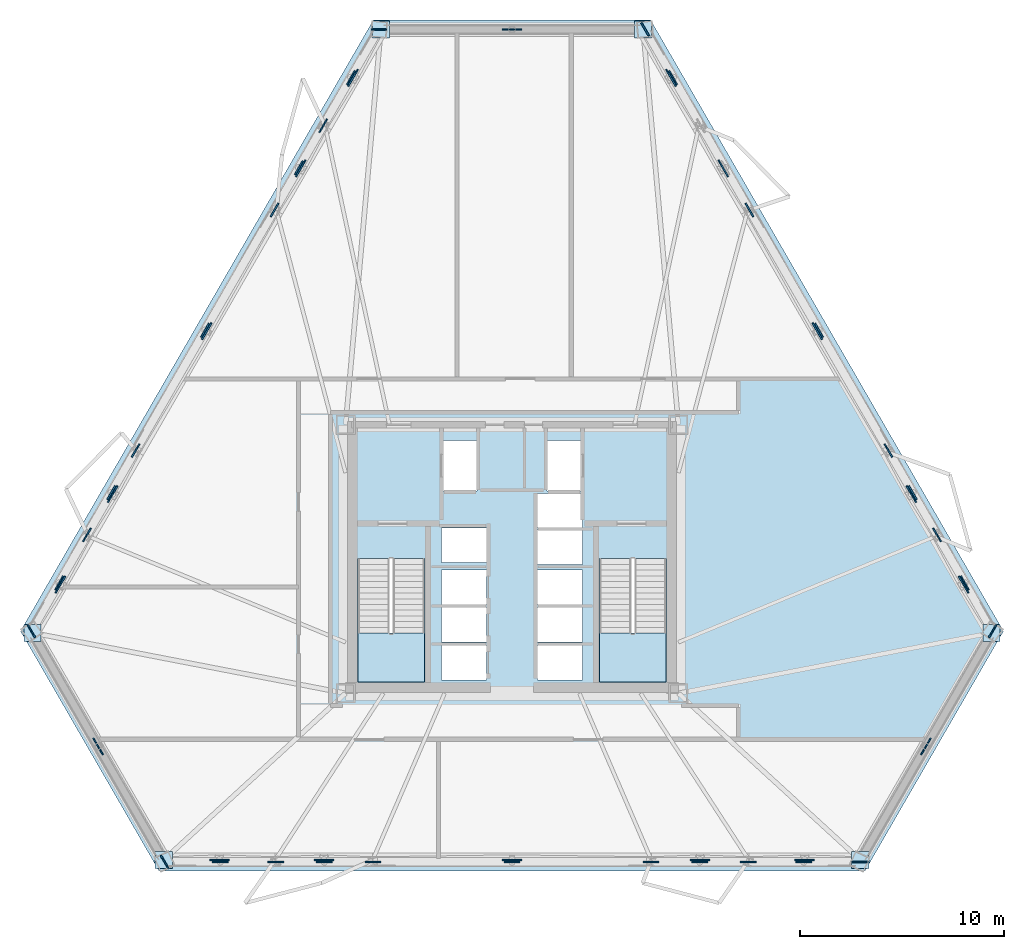
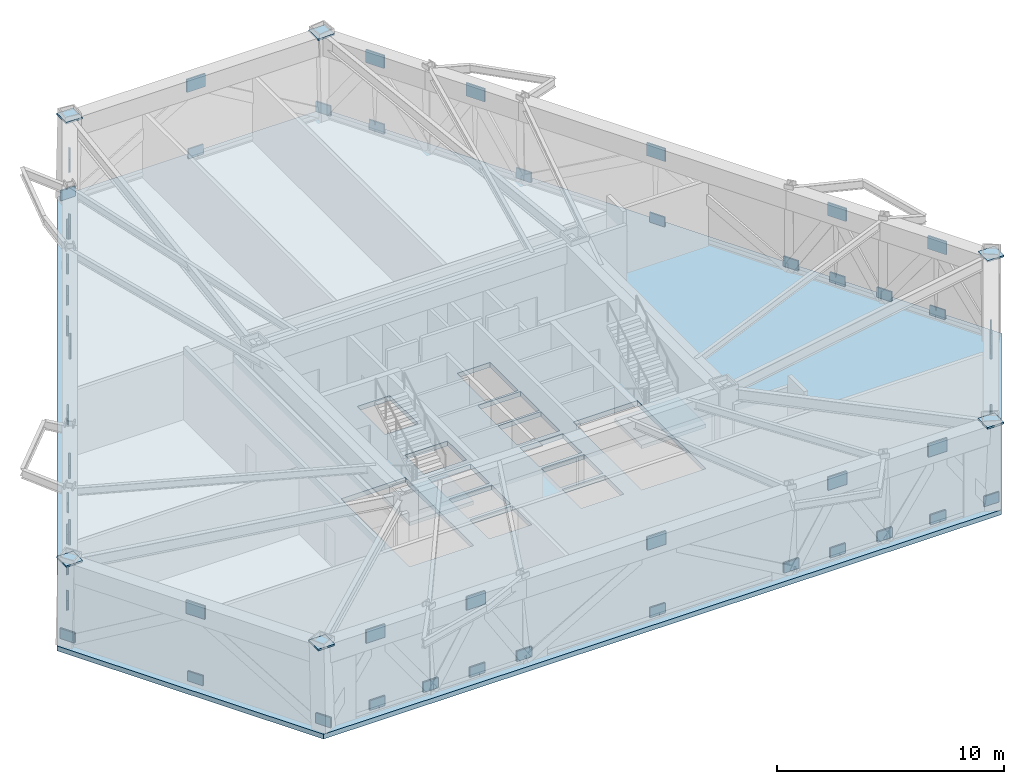
# One storey, part 6 of 11: 58 plates, 3 slabs, 2 elements without a shape of their own.
"""IFC4 building model written with IfcOpenShell, lengths in metres."""

from ifc_helpers import new_model, si_unit, direction, frame, origin, origin_2d, place, context, subcontext, project, spatial, polyline, rectangle, outline, extrude, material, layer, layer_set, type_object, element, aggregate, save


model = new_model("IFC4")

# Units and contexts
model_context = context("Model", 3, precision=1e-05, world=origin(), true_north=direction((0.0, 1.0)))
body_context = subcontext(model_context, "Body", "Model", "MODEL_VIEW")
ifc_project = project(units=[si_unit("LENGTHUNIT", "METRE"), si_unit("AREAUNIT", "SQUARE_METRE"), si_unit("VOLUMEUNIT", "CUBIC_METRE"), si_unit("PLANEANGLEUNIT", "RADIAN"), si_unit("MASSUNIT", "GRAM", prefix="KILO")], contexts=[model_context])

# Site, building, storey
site_placement = place(None, origin())
site = spatial("IfcSite", under=ifc_project, at=site_placement, CompositionType="ELEMENT")
building_placement = place(site_placement, origin())
building = spatial("IfcBuilding", under=site, at=building_placement, Name="Oramaril Tower", CompositionType="ELEMENT")
storey_placement = place(building_placement, frame((0.0, 0.0, 77.699951171875)))
storey = spatial("IfcBuildingStorey", under=building, at=storey_placement, Name="L20", CompositionType="ELEMENT", Elevation=77.699951171875)

# Plates
ifc_material_1 = material(Name="Steel ASTM A572 Gr 50", Category="steel")
ifc_layer_1 = layer(ifc_material_1, 0.0849609375)
ifc_layer_set_1 = layer_set([ifc_layer_1], Name="PLT-C85")
plate_type_1 = type_object("IfcPlateType", Name="PLT-C85", PredefinedType="USERDEFINED", material=ifc_layer_set_1)
for number, where, z_axis, x_axis, name in (
    (1, (14.024658203125, 13.9609375, 4.47509765625), (0.0, 0.0, 1.0), (1.0, 0.0, 0.0), "L20 Column Cap Plate CP-01"),
    (2, (20.44580078125, 2.839111328125, 4.47509765625), (0.0, 0.0, 1.0), (1.0, 0.0, 0.0), "L20 Column Cap Plate CP-02"),
    (3, (54.55419921875, 2.839111328125, 4.47509765625), (0.0, 0.0, 1.0), (1.0, 0.0, 0.0), "L20 Column Cap Plate CP-03"),
    (4, (60.975341796875, 13.9609375, 4.47509765625), (0.0, 0.0, 1.0), (1.0, 0.0, 0.0), "L20 Column Cap Plate CP-04"),
    (5, (43.921142578125, 43.499755859375, 4.47509765625), (0.0, 0.0, 1.0), (1.0, 0.0, 0.0), "L20 Column Cap Plate CP-05"),
    (6, (31.078857421875, 43.499755859375, 4.47509765625), (0.0, 0.0, 1.0), (1.0, 0.0, 0.0), "L20 Column Cap Plate CP-06"),
):
    element("IfcPlate", number, at=place(storey_placement, frame(where, z_axis=z_axis, x_axis=x_axis)), inside=storey, type_object=plate_type_1, Name=name, ObjectType="CAP", PredefinedType="USERDEFINED", context=body_context, shape_type="SweptSolid", body=[
        extrude(rectangle(XDim=0.840087890625, YDim=0.840087890625, at=origin_2d()), origin(), (0.0, 0.0, 1.0), 0.0849609375),
    ])
ifc_material_2 = material(Name="Steel ASTM A572 Gr 50", Category="steel")
ifc_layer_2 = layer(ifc_material_2, 0.074951171875)
ifc_layer_set_2 = layer_set([ifc_layer_2], Name="PLT-G75")
plate_type_2 = type_object("IfcPlateType", Name="PLT-G75", PredefinedType="USERDEFINED", material=ifc_layer_set_2)
plate_1_placement = place(storey_placement, frame((17.2353515625, 8.400146484375, 3.7099609375), z_axis=(0.0, 0.0, 1.0), x_axis=(0.499992442484, -0.866029767075, 0.0)))
element("IfcPlate", 7, at=plate_1_placement, inside=storey, type_object=plate_type_2, Name="L20 Truss Top Gusset Node KN-20A", ObjectType="GUSSET", PredefinedType="USERDEFINED", context=body_context, shape_type="SweptSolid", body=[
    extrude(rectangle(XDim=0.949951171875, YDim=0.074951171875, at=origin_2d()), origin(), (0.0, 0.0, 1.0), 0.699951171875),
])
plate_2_placement = place(storey_placement, frame((17.227294921875, 8.3955078125, 0.110107421875), z_axis=(0.0, 0.0, 1.0), x_axis=(0.499992442484, -0.866029767075, 0.0)))
element("IfcPlate", 8, at=plate_2_placement, inside=storey, type_object=plate_type_2, Name="L20 Truss Mid-Chord Gusset Node KN-20A", ObjectType="GUSSET", PredefinedType="USERDEFINED", context=body_context, shape_type="SweptSolid", body=[
    extrude(rectangle(XDim=0.780029296875, YDim=0.074951171875, at=origin_2d()), origin(), (0.0, 0.0, 1.0), 0.52001953125),
])
for number, where, z_axis, x_axis, name in (
    (9, (13.96630859375, 14.043701171875, 0.1201171875), (0.0, 0.0, 1.0), (0.499992442484, -0.866029767075, 0.0), "L20 Truss Base Gusset Node KN-20A"),
    (10, (20.488037109375, 2.747314453125, 0.1201171875), (0.0, 0.0, 1.0), (0.499992442484, -0.866029767075, 0.0), "L20 Truss Base Gusset Node KN-20A"),
):
    element("IfcPlate", number, at=place(storey_placement, frame(where, z_axis=z_axis, x_axis=x_axis)), inside=storey, type_object=plate_type_2, Name=name, ObjectType="GUSSET", PredefinedType="USERDEFINED", context=body_context, shape_type="SweptSolid", body=[
        extrude(rectangle(XDim=0.760009765625, YDim=0.074951171875, at=origin_2d()), origin(), (0.0, 0.0, 1.0), 0.5400390625),
    ])
plate_3_placement = place(storey_placement, frame((23.174560546875, 2.839111328125, 3.7099609375), z_axis=(0.0, 0.0, 1.0), x_axis=(1.0, 0.0, 0.0)))
element("IfcPlate", 11, at=plate_3_placement, inside=storey, type_object=plate_type_2, Name="L20 Truss Top Gusset Node KN-20A", ObjectType="GUSSET", PredefinedType="USERDEFINED", context=body_context, shape_type="SweptSolid", body=[
    extrude(rectangle(XDim=0.949951171875, YDim=0.074951171875, at=origin_2d()), origin(), (0.0, 0.0, 1.0), 0.699951171875),
])
plate_4_placement = place(storey_placement, frame((23.2099609375, 2.747314453125, 0.110107421875), z_axis=(0.0, 0.0, 1.0), x_axis=(1.0, 0.0, 0.0)))
element("IfcPlate", 12, at=plate_4_placement, inside=storey, type_object=plate_type_2, Name="L20 Truss Mid-Chord Gusset Node KN-20A", ObjectType="GUSSET", PredefinedType="USERDEFINED", context=body_context, shape_type="SweptSolid", body=[
    extrude(rectangle(XDim=0.780029296875, YDim=0.074951171875, at=origin_2d()), origin(), (0.0, 0.0, 1.0), 0.52001953125),
])
plate_5_placement = place(storey_placement, frame((25.931884765625, 2.747314453125, 0.1201171875), z_axis=(0.0, 0.0, 1.0), x_axis=(1.0, 0.0, 0.0)))
element("IfcPlate", 13, at=plate_5_placement, inside=storey, type_object=plate_type_2, Name="L20 Truss Base Gusset Node KN-20A", ObjectType="GUSSET", PredefinedType="USERDEFINED", context=body_context, shape_type="SweptSolid", body=[
    extrude(rectangle(XDim=0.760009765625, YDim=0.074951171875, at=origin_2d()), origin(), (0.0, 0.0, 1.0), 0.5400390625),
])
plate_6_placement = place(storey_placement, frame((28.290771484375, 2.839111328125, 3.7099609375), z_axis=(0.0, 0.0, 1.0), x_axis=(1.0, 0.0, 0.0)))
element("IfcPlate", 14, at=plate_6_placement, inside=storey, type_object=plate_type_2, Name="L20 Truss Top Gusset Node KN-20A", ObjectType="GUSSET", PredefinedType="USERDEFINED", context=body_context, shape_type="SweptSolid", body=[
    extrude(rectangle(XDim=0.949951171875, YDim=0.074951171875, at=origin_2d()), origin(), (0.0, 0.0, 1.0), 0.699951171875),
])
plate_7_placement = place(storey_placement, frame((28.3134765625, 2.747314453125, 0.110107421875), z_axis=(0.0, 0.0, 1.0), x_axis=(1.0, 0.0, 0.0)))
element("IfcPlate", 15, at=plate_7_placement, inside=storey, type_object=plate_type_2, Name="L20 Truss Mid-Chord Gusset Node KN-20A", ObjectType="GUSSET", PredefinedType="USERDEFINED", context=body_context, shape_type="SweptSolid", body=[
    extrude(rectangle(XDim=0.780029296875, YDim=0.074951171875, at=origin_2d()), origin(), (0.0, 0.0, 1.0), 0.52001953125),
])
plate_8_placement = place(storey_placement, frame((30.6953125, 2.747314453125, 0.1201171875), z_axis=(0.0, 0.0, 1.0), x_axis=(1.0, 0.0, 0.0)))
element("IfcPlate", 16, at=plate_8_placement, inside=storey, type_object=plate_type_2, Name="L20 Truss Base Gusset Node KN-20A", ObjectType="GUSSET", PredefinedType="USERDEFINED", context=body_context, shape_type="SweptSolid", body=[
    extrude(rectangle(XDim=0.760009765625, YDim=0.074951171875, at=origin_2d()), origin(), (0.0, 0.0, 1.0), 0.5400390625),
])
plate_9_placement = place(storey_placement, frame((37.5, 2.839111328125, 3.7099609375), z_axis=(0.0, 0.0, 1.0), x_axis=(1.0, 0.0, 0.0)))
element("IfcPlate", 17, at=plate_9_placement, inside=storey, type_object=plate_type_2, Name="L20 Truss Top Gusset Node KN-20A", ObjectType="GUSSET", PredefinedType="USERDEFINED", context=body_context, shape_type="SweptSolid", body=[
    extrude(rectangle(XDim=0.949951171875, YDim=0.074951171875, at=origin_2d()), origin(), (0.0, 0.0, 1.0), 0.699951171875),
])
plate_10_placement = place(storey_placement, frame((37.5, 2.747314453125, 0.110107421875), z_axis=(0.0, 0.0, 1.0), x_axis=(1.0, 0.0, 0.0)))
element("IfcPlate", 18, at=plate_10_placement, inside=storey, type_object=plate_type_2, Name="L20 Truss Mid-Chord Gusset Node KN-20A", ObjectType="GUSSET", PredefinedType="USERDEFINED", context=body_context, shape_type="SweptSolid", body=[
    extrude(rectangle(XDim=0.780029296875, YDim=0.074951171875, at=origin_2d()), origin(), (0.0, 0.0, 1.0), 0.52001953125),
])
plate_11_placement = place(storey_placement, frame((44.3046875, 2.747314453125, 0.1201171875), z_axis=(0.0, 0.0, 1.0), x_axis=(1.0, 0.0, 0.0)))
element("IfcPlate", 19, at=plate_11_placement, inside=storey, type_object=plate_type_2, Name="L20 Truss Base Gusset Node KN-20A", ObjectType="GUSSET", PredefinedType="USERDEFINED", context=body_context, shape_type="SweptSolid", body=[
    extrude(rectangle(XDim=0.760009765625, YDim=0.074951171875, at=origin_2d()), origin(), (0.0, 0.0, 1.0), 0.5400390625),
])
plate_12_placement = place(storey_placement, frame((46.709228515625, 2.839111328125, 3.7099609375), z_axis=(0.0, 0.0, 1.0), x_axis=(1.0, 0.0, 0.0)))
element("IfcPlate", 20, at=plate_12_placement, inside=storey, type_object=plate_type_2, Name="L20 Truss Top Gusset Node KN-20A", ObjectType="GUSSET", PredefinedType="USERDEFINED", context=body_context, shape_type="SweptSolid", body=[
    extrude(rectangle(XDim=0.949951171875, YDim=0.074951171875, at=origin_2d()), origin(), (0.0, 0.0, 1.0), 0.699951171875),
])
plate_13_placement = place(storey_placement, frame((46.6865234375, 2.747314453125, 0.110107421875), z_axis=(0.0, 0.0, 1.0), x_axis=(1.0, 0.0, 0.0)))
element("IfcPlate", 21, at=plate_13_placement, inside=storey, type_object=plate_type_2, Name="L20 Truss Mid-Chord Gusset Node KN-20A", ObjectType="GUSSET", PredefinedType="USERDEFINED", context=body_context, shape_type="SweptSolid", body=[
    extrude(rectangle(XDim=0.780029296875, YDim=0.074951171875, at=origin_2d()), origin(), (0.0, 0.0, 1.0), 0.52001953125),
])
plate_14_placement = place(storey_placement, frame((49.068115234375, 2.747314453125, 0.1201171875), z_axis=(0.0, 0.0, 1.0), x_axis=(1.0, 0.0, 0.0)))
element("IfcPlate", 22, at=plate_14_placement, inside=storey, type_object=plate_type_2, Name="L20 Truss Base Gusset Node KN-20A", ObjectType="GUSSET", PredefinedType="USERDEFINED", context=body_context, shape_type="SweptSolid", body=[
    extrude(rectangle(XDim=0.760009765625, YDim=0.074951171875, at=origin_2d()), origin(), (0.0, 0.0, 1.0), 0.5400390625),
])
plate_15_placement = place(storey_placement, frame((51.825439453125, 2.839111328125, 3.7099609375), z_axis=(0.0, 0.0, 1.0), x_axis=(1.0, 0.0, 0.0)))
element("IfcPlate", 23, at=plate_15_placement, inside=storey, type_object=plate_type_2, Name="L20 Truss Top Gusset Node KN-20A", ObjectType="GUSSET", PredefinedType="USERDEFINED", context=body_context, shape_type="SweptSolid", body=[
    extrude(rectangle(XDim=0.949951171875, YDim=0.074951171875, at=origin_2d()), origin(), (0.0, 0.0, 1.0), 0.699951171875),
])
plate_16_placement = place(storey_placement, frame((51.7900390625, 2.747314453125, 0.110107421875), z_axis=(0.0, 0.0, 1.0), x_axis=(1.0, 0.0, 0.0)))
element("IfcPlate", 24, at=plate_16_placement, inside=storey, type_object=plate_type_2, Name="L20 Truss Mid-Chord Gusset Node KN-20A", ObjectType="GUSSET", PredefinedType="USERDEFINED", context=body_context, shape_type="SweptSolid", body=[
    extrude(rectangle(XDim=0.780029296875, YDim=0.074951171875, at=origin_2d()), origin(), (0.0, 0.0, 1.0), 0.52001953125),
])
plate_17_placement = place(storey_placement, frame((54.511962890625, 2.747314453125, 0.1201171875), z_axis=(0.0, 0.0, 1.0), x_axis=(1.0, 0.0, 0.0)))
element("IfcPlate", 25, at=plate_17_placement, inside=storey, type_object=plate_type_2, Name="L20 Truss Base Gusset Node KN-20A", ObjectType="GUSSET", PredefinedType="USERDEFINED", context=body_context, shape_type="SweptSolid", body=[
    extrude(rectangle(XDim=0.760009765625, YDim=0.074951171875, at=origin_2d()), origin(), (0.0, 0.0, 1.0), 0.5400390625),
])
plate_18_placement = place(storey_placement, frame((57.7646484375, 8.400146484375, 3.7099609375), z_axis=(0.0, 0.0, 1.0), x_axis=(0.499992442484, 0.866029767075, 0.0)))
element("IfcPlate", 26, at=plate_18_placement, inside=storey, type_object=plate_type_2, Name="L20 Truss Top Gusset Node KN-20B", ObjectType="GUSSET", PredefinedType="USERDEFINED", context=body_context, shape_type="SweptSolid", body=[
    extrude(rectangle(XDim=0.949951171875, YDim=0.074951171875, at=origin_2d()), origin(), (0.0, 0.0, 1.0), 0.699951171875),
])
plate_19_placement = place(storey_placement, frame((57.772705078125, 8.3955078125, 0.110107421875), z_axis=(0.0, 0.0, 1.0), x_axis=(0.499992442484, 0.866029767075, 0.0)))
element("IfcPlate", 27, at=plate_19_placement, inside=storey, type_object=plate_type_2, Name="L20 Truss Mid-Chord Gusset Node KN-20B", ObjectType="GUSSET", PredefinedType="USERDEFINED", context=body_context, shape_type="SweptSolid", body=[
    extrude(rectangle(XDim=0.780029296875, YDim=0.074951171875, at=origin_2d()), origin(), (0.0, 0.0, 1.0), 0.52001953125),
])
plate_20_placement = place(storey_placement, frame((61.03369140625, 14.043701171875, 0.1201171875), z_axis=(0.0, 0.0, 1.0), x_axis=(0.499992442484, 0.866029767075, 0.0)))
element("IfcPlate", 28, at=plate_20_placement, inside=storey, type_object=plate_type_2, Name="L20 Truss Base Gusset Node KN-20B", ObjectType="GUSSET", PredefinedType="USERDEFINED", context=body_context, shape_type="SweptSolid", body=[
    extrude(rectangle(XDim=0.760009765625, YDim=0.074951171875, at=origin_2d()), origin(), (0.0, 0.0, 1.0), 0.5400390625),
])
plate_21_placement = place(storey_placement, frame((59.611083984375, 16.32421875, 3.7099609375), z_axis=(0.0, 0.0, 1.0), x_axis=(-0.499996976998, 0.866027149108, 0.0)))
element("IfcPlate", 29, at=plate_21_placement, inside=storey, type_object=plate_type_2, Name="L20 Truss Top Gusset Node KN-20B", ObjectType="GUSSET", PredefinedType="USERDEFINED", context=body_context, shape_type="SweptSolid", body=[
    extrude(rectangle(XDim=0.949951171875, YDim=0.074951171875, at=origin_2d()), origin(), (0.0, 0.0, 1.0), 0.699951171875),
])
plate_22_placement = place(storey_placement, frame((59.6728515625, 16.40087890625, 0.110107421875), z_axis=(0.0, 0.0, 1.0), x_axis=(-0.499996976998, 0.866027149108, 0.0)))
element("IfcPlate", 30, at=plate_22_placement, inside=storey, type_object=plate_type_2, Name="L20 Truss Mid-Chord Gusset Node KN-20B", ObjectType="GUSSET", PredefinedType="USERDEFINED", context=body_context, shape_type="SweptSolid", body=[
    extrude(rectangle(XDim=0.780029296875, YDim=0.074951171875, at=origin_2d()), origin(), (0.0, 0.0, 1.0), 0.52001953125),
])
plate_23_placement = place(storey_placement, frame((58.31201171875, 18.75830078125, 0.1201171875), z_axis=(0.0, 0.0, 1.0), x_axis=(-0.499996976998, 0.866027149108, 0.0)))
element("IfcPlate", 31, at=plate_23_placement, inside=storey, type_object=plate_type_2, Name="L20 Truss Base Gusset Node KN-20B", ObjectType="GUSSET", PredefinedType="USERDEFINED", context=body_context, shape_type="SweptSolid", body=[
    extrude(rectangle(XDim=0.760009765625, YDim=0.074951171875, at=origin_2d()), origin(), (0.0, 0.0, 1.0), 0.5400390625),
])
plate_24_placement = place(storey_placement, frame((57.052734375, 20.7548828125, 3.7099609375), z_axis=(0.0, 0.0, 1.0), x_axis=(-0.499995465495, 0.866028021766, 0.0)))
element("IfcPlate", 32, at=plate_24_placement, inside=storey, type_object=plate_type_2, Name="L20 Truss Top Gusset Node KN-20B", ObjectType="GUSSET", PredefinedType="USERDEFINED", context=body_context, shape_type="SweptSolid", body=[
    extrude(rectangle(XDim=0.949951171875, YDim=0.074951171875, at=origin_2d()), origin(), (0.0, 0.0, 1.0), 0.699951171875),
])
plate_25_placement = place(storey_placement, frame((57.12109375, 20.82080078125, 0.110107421875), z_axis=(0.0, 0.0, 1.0), x_axis=(-0.499995465495, 0.866028021766, 0.0)))
element("IfcPlate", 33, at=plate_25_placement, inside=storey, type_object=plate_type_2, Name="L20 Truss Mid-Chord Gusset Node KN-20B", ObjectType="GUSSET", PredefinedType="USERDEFINED", context=body_context, shape_type="SweptSolid", body=[
    extrude(rectangle(XDim=0.780029296875, YDim=0.074951171875, at=origin_2d()), origin(), (0.0, 0.0, 1.0), 0.52001953125),
])
plate_26_placement = place(storey_placement, frame((55.930419921875, 22.88330078125, 0.1201171875), z_axis=(0.0, 0.0, 1.0), x_axis=(-0.499995465495, 0.866028021766, 0.0)))
element("IfcPlate", 34, at=plate_26_placement, inside=storey, type_object=plate_type_2, Name="L20 Truss Base Gusset Node KN-20B", ObjectType="GUSSET", PredefinedType="USERDEFINED", context=body_context, shape_type="SweptSolid", body=[
    extrude(rectangle(XDim=0.760009765625, YDim=0.074951171875, at=origin_2d()), origin(), (0.0, 0.0, 1.0), 0.5400390625),
])
plate_27_placement = place(storey_placement, frame((52.4482421875, 28.73046875, 3.7099609375), z_axis=(0.0, 0.0, 1.0), x_axis=(-0.500001511499, 0.866024531118, 0.0)))
element("IfcPlate", 35, at=plate_27_placement, inside=storey, type_object=plate_type_2, Name="L20 Truss Top Gusset Node KN-20B", ObjectType="GUSSET", PredefinedType="USERDEFINED", context=body_context, shape_type="SweptSolid", body=[
    extrude(rectangle(XDim=0.949951171875, YDim=0.074951171875, at=origin_2d()), origin(), (0.0, 0.0, 1.0), 0.699951171875),
])
plate_28_placement = place(storey_placement, frame((52.52783203125, 28.7763671875, 0.110107421875), z_axis=(0.0, 0.0, 1.0), x_axis=(-0.500001511499, 0.866024531118, 0.0)))
element("IfcPlate", 36, at=plate_28_placement, inside=storey, type_object=plate_type_2, Name="L20 Truss Mid-Chord Gusset Node KN-20B", ObjectType="GUSSET", PredefinedType="USERDEFINED", context=body_context, shape_type="SweptSolid", body=[
    extrude(rectangle(XDim=0.780029296875, YDim=0.074951171875, at=origin_2d()), origin(), (0.0, 0.0, 1.0), 0.52001953125),
])
plate_29_placement = place(storey_placement, frame((49.12548828125, 34.66943359375, 0.1201171875), z_axis=(0.0, 0.0, 1.0), x_axis=(-0.500001511499, 0.866024531118, 0.0)))
element("IfcPlate", 37, at=plate_29_placement, inside=storey, type_object=plate_type_2, Name="L20 Truss Base Gusset Node KN-20B", ObjectType="GUSSET", PredefinedType="USERDEFINED", context=body_context, shape_type="SweptSolid", body=[
    extrude(rectangle(XDim=0.760009765625, YDim=0.074951171875, at=origin_2d()), origin(), (0.0, 0.0, 1.0), 0.5400390625),
])
for number, where, z_axis, x_axis, name in (
    (38, (47.843505859375, 36.705810546875, 3.7099609375), (0.0, 0.0, 1.0), (-0.499995465495, 0.866028021766, 0.0), "L20 Truss Top Gusset Node KN-20B"),
    (39, (45.285400390625, 41.13671875, 3.7099609375), (0.0, 0.0, 1.0), (-0.499996976998, 0.866027149108, 0.0), "L20 Truss Top Gusset Node KN-20B"),
):
    element("IfcPlate", number, at=place(storey_placement, frame(where, z_axis=z_axis, x_axis=x_axis)), inside=storey, type_object=plate_type_2, Name=name, ObjectType="GUSSET", PredefinedType="USERDEFINED", context=body_context, shape_type="SweptSolid", body=[
        extrude(rectangle(XDim=0.949951171875, YDim=0.074951171875, at=origin_2d()), origin(), (0.0, 0.0, 1.0), 0.699951171875),
    ])
plate_30_placement = place(storey_placement, frame((45.3828125, 41.15185546875, 0.110107421875), z_axis=(0.0, 0.0, 1.0), x_axis=(-0.499996976998, 0.866027149108, 0.0)))
element("IfcPlate", 40, at=plate_30_placement, inside=storey, type_object=plate_type_2, Name="L20 Truss Mid-Chord Gusset Node KN-20B", ObjectType="GUSSET", PredefinedType="USERDEFINED", context=body_context, shape_type="SweptSolid", body=[
    extrude(rectangle(XDim=0.780029296875, YDim=0.074951171875, at=origin_2d()), origin(), (0.0, 0.0, 1.0), 0.52001953125),
])
plate_31_placement = place(storey_placement, frame((44.02197265625, 43.509033203125, 0.1201171875), z_axis=(0.0, 0.0, 1.0), x_axis=(-0.499996976998, 0.866027149108, 0.0)))
element("IfcPlate", 41, at=plate_31_placement, inside=storey, type_object=plate_type_2, Name="L20 Truss Base Gusset Node KN-20B", ObjectType="GUSSET", PredefinedType="USERDEFINED", context=body_context, shape_type="SweptSolid", body=[
    extrude(rectangle(XDim=0.760009765625, YDim=0.074951171875, at=origin_2d()), origin(), (0.0, 0.0, 1.0), 0.5400390625),
])
plate_32_placement = place(storey_placement, frame((37.5, 43.499755859375, 3.7099609375), z_axis=(0.0, 0.0, 1.0), x_axis=(-1.0, 0.0, 0.0)))
element("IfcPlate", 42, at=plate_32_placement, inside=storey, type_object=plate_type_2, Name="L20 Truss Top Gusset Node KN-20C", ObjectType="GUSSET", PredefinedType="USERDEFINED", context=body_context, shape_type="SweptSolid", body=[
    extrude(rectangle(XDim=0.949951171875, YDim=0.074951171875, at=origin_2d()), origin(), (0.0, 0.0, 1.0), 0.699951171875),
])
plate_33_placement = place(storey_placement, frame((37.5, 43.509033203125, 0.110107421875), z_axis=(0.0, 0.0, 1.0), x_axis=(-1.0, 0.0, 0.0)))
element("IfcPlate", 43, at=plate_33_placement, inside=storey, type_object=plate_type_2, Name="L20 Truss Mid-Chord Gusset Node KN-20C", ObjectType="GUSSET", PredefinedType="USERDEFINED", context=body_context, shape_type="SweptSolid", body=[
    extrude(rectangle(XDim=0.780029296875, YDim=0.074951171875, at=origin_2d()), origin(), (0.0, 0.0, 1.0), 0.52001953125),
])
plate_34_placement = place(storey_placement, frame((30.97802734375, 43.509033203125, 0.1201171875), z_axis=(0.0, 0.0, 1.0), x_axis=(-1.0, 0.0, 0.0)))
element("IfcPlate", 44, at=plate_34_placement, inside=storey, type_object=plate_type_2, Name="L20 Truss Base Gusset Node KN-20C", ObjectType="GUSSET", PredefinedType="USERDEFINED", context=body_context, shape_type="SweptSolid", body=[
    extrude(rectangle(XDim=0.760009765625, YDim=0.074951171875, at=origin_2d()), origin(), (0.0, 0.0, 1.0), 0.5400390625),
])
plate_35_placement = place(storey_placement, frame((29.714599609375, 41.13671875, 3.7099609375), z_axis=(0.0, 0.0, 1.0), x_axis=(-0.499996976998, -0.866027149108, 0.0)))
element("IfcPlate", 45, at=plate_35_placement, inside=storey, type_object=plate_type_2, Name="L20 Truss Top Gusset Node KN-20C", ObjectType="GUSSET", PredefinedType="USERDEFINED", context=body_context, shape_type="SweptSolid", body=[
    extrude(rectangle(XDim=0.949951171875, YDim=0.074951171875, at=origin_2d()), origin(), (0.0, 0.0, 1.0), 0.699951171875),
])
plate_36_placement = place(storey_placement, frame((29.616943359375, 41.15185546875, 0.110107421875), z_axis=(0.0, 0.0, 1.0), x_axis=(-0.499996976998, -0.866027149108, 0.0)))
element("IfcPlate", 46, at=plate_36_placement, inside=storey, type_object=plate_type_2, Name="L20 Truss Mid-Chord Gusset Node KN-20C", ObjectType="GUSSET", PredefinedType="USERDEFINED", context=body_context, shape_type="SweptSolid", body=[
    extrude(rectangle(XDim=0.780029296875, YDim=0.074951171875, at=origin_2d()), origin(), (0.0, 0.0, 1.0), 0.52001953125),
])
plate_37_placement = place(storey_placement, frame((28.256103515625, 38.794677734375, 0.1201171875), z_axis=(0.0, 0.0, 1.0), x_axis=(-0.499996976998, -0.866027149108, 0.0)))
element("IfcPlate", 47, at=plate_37_placement, inside=storey, type_object=plate_type_2, Name="L20 Truss Base Gusset Node KN-20C", ObjectType="GUSSET", PredefinedType="USERDEFINED", context=body_context, shape_type="SweptSolid", body=[
    extrude(rectangle(XDim=0.760009765625, YDim=0.074951171875, at=origin_2d()), origin(), (0.0, 0.0, 1.0), 0.5400390625),
])
plate_38_placement = place(storey_placement, frame((27.156494140625, 36.705810546875, 3.7099609375), z_axis=(0.0, 0.0, 1.0), x_axis=(-0.499995465495, -0.866028021766, 0.0)))
element("IfcPlate", 48, at=plate_38_placement, inside=storey, type_object=plate_type_2, Name="L20 Truss Top Gusset Node KN-20C", ObjectType="GUSSET", PredefinedType="USERDEFINED", context=body_context, shape_type="SweptSolid", body=[
    extrude(rectangle(XDim=0.949951171875, YDim=0.074951171875, at=origin_2d()), origin(), (0.0, 0.0, 1.0), 0.699951171875),
])
plate_39_placement = place(storey_placement, frame((27.065185546875, 36.732177734375, 0.110107421875), z_axis=(0.0, 0.0, 1.0), x_axis=(-0.499995465495, -0.866028021766, 0.0)))
element("IfcPlate", 49, at=plate_39_placement, inside=storey, type_object=plate_type_2, Name="L20 Truss Mid-Chord Gusset Node KN-20C", ObjectType="GUSSET", PredefinedType="USERDEFINED", context=body_context, shape_type="SweptSolid", body=[
    extrude(rectangle(XDim=0.780029296875, YDim=0.074951171875, at=origin_2d()), origin(), (0.0, 0.0, 1.0), 0.52001953125),
])
plate_40_placement = place(storey_placement, frame((25.87451171875, 34.66943359375, 0.1201171875), z_axis=(0.0, 0.0, 1.0), x_axis=(-0.499995465495, -0.866028021766, 0.0)))
element("IfcPlate", 50, at=plate_40_placement, inside=storey, type_object=plate_type_2, Name="L20 Truss Base Gusset Node KN-20C", ObjectType="GUSSET", PredefinedType="USERDEFINED", context=body_context, shape_type="SweptSolid", body=[
    extrude(rectangle(XDim=0.760009765625, YDim=0.074951171875, at=origin_2d()), origin(), (0.0, 0.0, 1.0), 0.5400390625),
])
plate_41_placement = place(storey_placement, frame((22.5517578125, 28.73046875, 3.7099609375), z_axis=(0.0, 0.0, 1.0), x_axis=(-0.500001511499, -0.866024531118, 0.0)))
element("IfcPlate", 51, at=plate_41_placement, inside=storey, type_object=plate_type_2, Name="L20 Truss Top Gusset Node KN-20C", ObjectType="GUSSET", PredefinedType="USERDEFINED", context=body_context, shape_type="SweptSolid", body=[
    extrude(rectangle(XDim=0.949951171875, YDim=0.074951171875, at=origin_2d()), origin(), (0.0, 0.0, 1.0), 0.699951171875),
])
plate_42_placement = place(storey_placement, frame((22.47216796875, 28.7763671875, 0.110107421875), z_axis=(0.0, 0.0, 1.0), x_axis=(-0.500001511499, -0.866024531118, 0.0)))
element("IfcPlate", 52, at=plate_42_placement, inside=storey, type_object=plate_type_2, Name="L20 Truss Mid-Chord Gusset Node KN-20C", ObjectType="GUSSET", PredefinedType="USERDEFINED", context=body_context, shape_type="SweptSolid", body=[
    extrude(rectangle(XDim=0.780029296875, YDim=0.074951171875, at=origin_2d()), origin(), (0.0, 0.0, 1.0), 0.52001953125),
])
plate_43_placement = place(storey_placement, frame((19.069580078125, 22.88330078125, 0.1201171875), z_axis=(0.0, 0.0, 1.0), x_axis=(-0.500001511499, -0.866024531118, 0.0)))
element("IfcPlate", 53, at=plate_43_placement, inside=storey, type_object=plate_type_2, Name="L20 Truss Base Gusset Node KN-20C", ObjectType="GUSSET", PredefinedType="USERDEFINED", context=body_context, shape_type="SweptSolid", body=[
    extrude(rectangle(XDim=0.760009765625, YDim=0.074951171875, at=origin_2d()), origin(), (0.0, 0.0, 1.0), 0.5400390625),
])
plate_44_placement = place(storey_placement, frame((17.947265625, 20.7548828125, 3.7099609375), z_axis=(0.0, 0.0, 1.0), x_axis=(-0.499995465495, -0.866028021766, 0.0)))
element("IfcPlate", 54, at=plate_44_placement, inside=storey, type_object=plate_type_2, Name="L20 Truss Top Gusset Node KN-20C", ObjectType="GUSSET", PredefinedType="USERDEFINED", context=body_context, shape_type="SweptSolid", body=[
    extrude(rectangle(XDim=0.949951171875, YDim=0.074951171875, at=origin_2d()), origin(), (0.0, 0.0, 1.0), 0.699951171875),
])
plate_45_placement = place(storey_placement, frame((17.87890625, 20.82080078125, 0.110107421875), z_axis=(0.0, 0.0, 1.0), x_axis=(-0.499995465495, -0.866028021766, 0.0)))
element("IfcPlate", 55, at=plate_45_placement, inside=storey, type_object=plate_type_2, Name="L20 Truss Mid-Chord Gusset Node KN-20C", ObjectType="GUSSET", PredefinedType="USERDEFINED", context=body_context, shape_type="SweptSolid", body=[
    extrude(rectangle(XDim=0.780029296875, YDim=0.074951171875, at=origin_2d()), origin(), (0.0, 0.0, 1.0), 0.52001953125),
])
plate_46_placement = place(storey_placement, frame((16.68798828125, 18.75830078125, 0.1201171875), z_axis=(0.0, 0.0, 1.0), x_axis=(-0.499995465495, -0.866028021766, 0.0)))
element("IfcPlate", 56, at=plate_46_placement, inside=storey, type_object=plate_type_2, Name="L20 Truss Base Gusset Node KN-20C", ObjectType="GUSSET", PredefinedType="USERDEFINED", context=body_context, shape_type="SweptSolid", body=[
    extrude(rectangle(XDim=0.760009765625, YDim=0.074951171875, at=origin_2d()), origin(), (0.0, 0.0, 1.0), 0.5400390625),
])
plate_47_placement = place(storey_placement, frame((15.388916015625, 16.32421875, 3.7099609375), z_axis=(0.0, 0.0, 1.0), x_axis=(-0.499996976998, -0.866027149108, 0.0)))
element("IfcPlate", 57, at=plate_47_placement, inside=storey, type_object=plate_type_2, Name="L20 Truss Top Gusset Node KN-20C", ObjectType="GUSSET", PredefinedType="USERDEFINED", context=body_context, shape_type="SweptSolid", body=[
    extrude(rectangle(XDim=0.949951171875, YDim=0.074951171875, at=origin_2d()), origin(), (0.0, 0.0, 1.0), 0.699951171875),
])
plate_48_placement = place(storey_placement, frame((15.3271484375, 16.40087890625, 0.110107421875), z_axis=(0.0, 0.0, 1.0), x_axis=(-0.499996976998, -0.866027149108, 0.0)))
element("IfcPlate", 58, at=plate_48_placement, inside=storey, type_object=plate_type_2, Name="L20 Truss Mid-Chord Gusset Node KN-20C", ObjectType="GUSSET", PredefinedType="USERDEFINED", context=body_context, shape_type="SweptSolid", body=[
    extrude(rectangle(XDim=0.780029296875, YDim=0.074951171875, at=origin_2d()), origin(), (0.0, 0.0, 1.0), 0.52001953125),
])

# Stair, slab
ifc_material_3 = material(Name="Concrete C50/60", Category="concrete")
stair_type = type_object("IfcStairType", Name="STT-DG-4800", PredefinedType="HALF_TURN_STAIR", material=ifc_material_3)
stair_1_placement = place(storey_placement, origin())
stair_1 = element("IfcStair", 59, at=stair_1_placement, inside=storey, type_object=stair_type, Name="L20 Protected PFP Exit Stair ST-1", PredefinedType="HALF_TURN_STAIR")
ifc_material_4 = material(Name="Concrete C50/60", Category="concrete")
ifc_layer_3 = layer(ifc_material_4, 0.199951171875)
ifc_layer_set_3 = layer_set([ifc_layer_3], Name="SLT-LND20")
slab_type_1 = type_object("IfcSlabType", Name="SLT-LND20", PredefinedType="LANDING", material=ifc_layer_set_3)
slab_1_placement = place(storey_placement, frame((0.0, 0.0, 2.199951171875)))
slab_1 = element("IfcSlab", 60, at=slab_1_placement, type_object=slab_type_1, Name="ST-1 landing 1", PredefinedType="LANDING", context=body_context, shape_type="SweptSolid", body=[
    extrude(outline(polyline([(29.949951171875, 13.949951171875), (29.949951171875, 11.550048828125), (33.219970703125, 11.550048828125), (33.219970703125, 13.949951171875), (29.949951171875, 13.949951171875)])), origin(), (0.0, 0.0, 1.0), 0.2001953125),
])
aggregate(stair_1, [slab_1])

stair_2_placement = place(storey_placement, origin())
stair_2 = element("IfcStair", 61, at=stair_2_placement, inside=storey, type_object=stair_type, Name="L20 Protected PFP Exit Stair ST-2", PredefinedType="HALF_TURN_STAIR")
slab_2_placement = place(storey_placement, frame((0.0, 0.0, 2.199951171875)))
slab_2 = element("IfcSlab", 62, at=slab_2_placement, type_object=slab_type_1, Name="ST-2 landing 1", PredefinedType="LANDING", context=body_context, shape_type="SweptSolid", body=[
    extrude(outline(polyline([(41.780029296875, 13.949951171875), (41.780029296875, 11.550048828125), (45.050048828125, 11.550048828125), (45.050048828125, 13.949951171875), (41.780029296875, 13.949951171875)])), origin(), (0.0, 0.0, 1.0), 0.2001953125),
])
aggregate(stair_2, [slab_2])

# Slab
ifc_material_5 = material(Name="Concrete C50/60", Category="concrete")
ifc_layer_4 = layer(ifc_material_5, 0.260009765625)
ifc_layer_set_4 = layer_set([ifc_layer_4], Name="SLT-TRF26")
slab_type_2 = type_object("IfcSlabType", Name="SLT-TRF26", PredefinedType="FLOOR", material=ifc_layer_set_4)
slab_3_placement = place(storey_placement, frame((0.0, 0.0, -0.260009765625)))
element("IfcSlab", 63, at=slab_3_placement, inside=storey, type_object=slab_type_2, Name="L20 Structural Floor Slab", PredefinedType="FLOOR", context=body_context, shape_type="SweptSolid", body=[
    extrude(outline(polyline([(13.43505859375, 14.043701171875), (20.222412109375, 2.287109375), (54.777587890625, 2.287109375), (61.56494140625, 14.043701171875), (44.28759765625, 43.968994140625), (30.71240234375, 43.968994140625), (13.43505859375, 14.043701171875)]), holes=[polyline([(29.949951171875, 17.58935546875), (29.949951171875, 11.550048828125), (33.219970703125, 11.550048828125), (33.219970703125, 17.58935546875), (29.949951171875, 17.58935546875)]), polyline([(41.780029296875, 17.58935546875), (41.780029296875, 11.550048828125), (45.050048828125, 11.550048828125), (45.050048828125, 17.58935546875), (41.780029296875, 17.58935546875)]), polyline([(34.110107421875, 20.909912109375), (35.7900390625, 20.909912109375), (35.7900390625, 23.389892578125), (34.110107421875, 23.389892578125), (34.110107421875, 20.909912109375)]), polyline([(39.2099609375, 20.909912109375), (40.889892578125, 20.909912109375), (40.889892578125, 23.389892578125), (39.2099609375, 23.389892578125), (39.2099609375, 20.909912109375)]), polyline([(34.06005859375, 11.659912109375), (36.239990234375, 11.659912109375), (36.239990234375, 13.340087890625), (34.06005859375, 13.340087890625), (34.06005859375, 11.659912109375)]), polyline([(34.06005859375, 13.510009765625), (36.239990234375, 13.510009765625), (36.239990234375, 15.18994140625), (34.06005859375, 15.18994140625), (34.06005859375, 13.510009765625)]), polyline([(34.06005859375, 15.360107421875), (36.239990234375, 15.360107421875), (36.239990234375, 17.0400390625), (34.06005859375, 17.0400390625), (34.06005859375, 15.360107421875)]), polyline([(38.760009765625, 11.659912109375), (40.93994140625, 11.659912109375), (40.93994140625, 13.340087890625), (38.760009765625, 13.340087890625), (38.760009765625, 11.659912109375)]), polyline([(38.760009765625, 13.510009765625), (40.93994140625, 13.510009765625), (40.93994140625, 15.18994140625), (38.760009765625, 15.18994140625), (38.760009765625, 13.510009765625)]), polyline([(38.760009765625, 15.360107421875), (40.93994140625, 15.360107421875), (40.93994140625, 17.0400390625), (38.760009765625, 17.0400390625), (38.760009765625, 15.360107421875)]), polyline([(34.06005859375, 17.409912109375), (36.239990234375, 17.409912109375), (36.239990234375, 19.090087890625), (34.06005859375, 19.090087890625), (34.06005859375, 17.409912109375)]), polyline([(38.760009765625, 17.31005859375), (40.93994140625, 17.31005859375), (40.93994140625, 18.989990234375), (38.760009765625, 18.989990234375), (38.760009765625, 17.31005859375)]), polyline([(38.760009765625, 19.110107421875), (40.93994140625, 19.110107421875), (40.93994140625, 20.7900390625), (38.760009765625, 20.7900390625), (38.760009765625, 19.110107421875)])]), origin(), (0.0, 0.0, 1.0), 0.260009765625),
])

save(model, "model.ifc")
